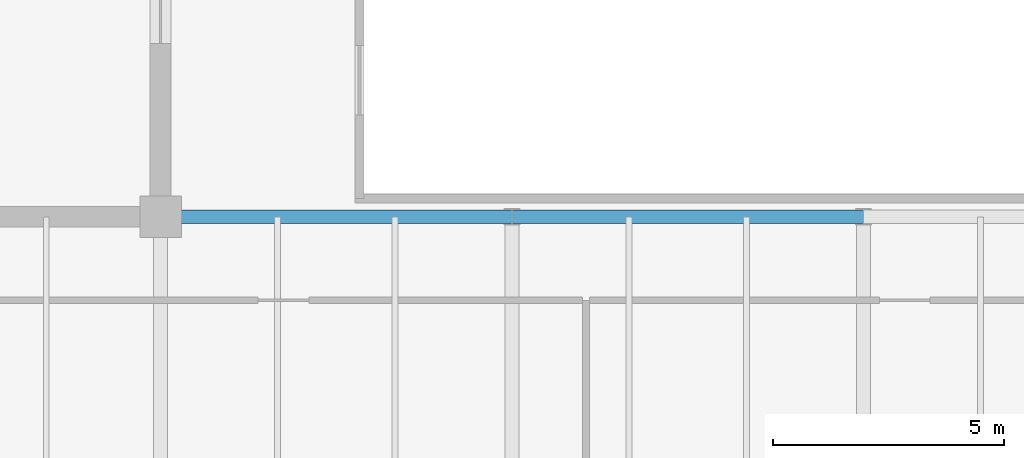
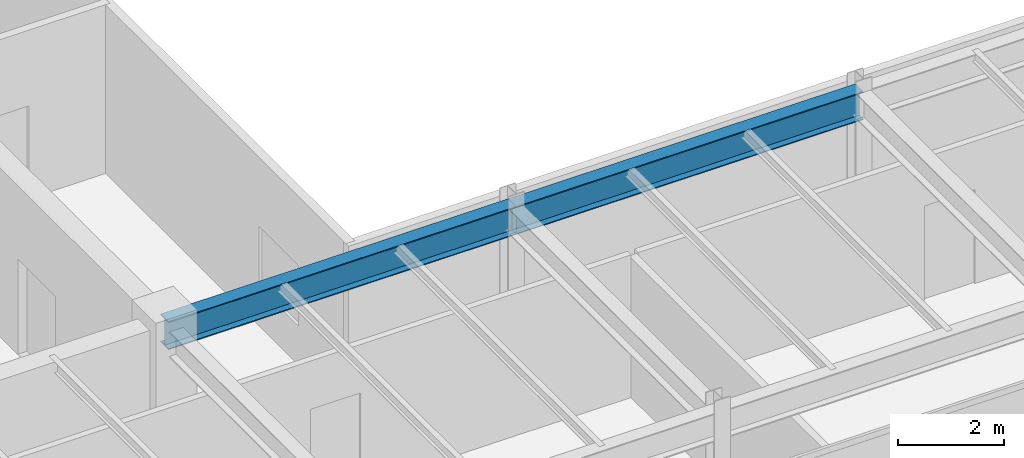
# One storey, part 9 of 31: 2 beams.
"""IFC4 building model written with IfcOpenShell, lengths in metres."""

from ifc_helpers import new_model, si_unit, direction, frame, origin, origin_2d, place, context, subcontext, project, spatial, i_section, extrude, source, transform, mapped, material, material_profile, profile_set, type_object, type_shapes, element, save


model = new_model("IFC4")

# Units and contexts
model_context = context("Model", 3, precision=1e-05, world=origin(), true_north=direction((0.0, 1.0)))
body_context = subcontext(model_context, "Body", "Model", "MODEL_VIEW")
ifc_project = project(units=[si_unit("LENGTHUNIT", "METRE"), si_unit("AREAUNIT", "SQUARE_METRE"), si_unit("VOLUMEUNIT", "CUBIC_METRE"), si_unit("PLANEANGLEUNIT", "RADIAN"), si_unit("MASSUNIT", "GRAM", prefix="KILO")], contexts=[model_context])

# Site, building, storey
site_placement = place(None, origin())
site = spatial("IfcSite", under=ifc_project, at=site_placement, CompositionType="ELEMENT")
building_placement = place(site_placement, origin())
building = spatial("IfcBuilding", under=site, at=building_placement, Name="Haelvirn Gate Laboratories", CompositionType="ELEMENT")
storey_placement = place(building_placement, frame((0.0, 0.0, 318.60009765625)))
storey = spatial("IfcBuildingStorey", under=building, at=storey_placement, Name="L76", CompositionType="ELEMENT", Elevation=318.60009765625)

# Beams
ifc_material = material(Name="Steel SM355", Category="steel")
ifc_material_profile = material_profile(ifc_material, i_section(OverallWidth=0.300048828125, OverallDepth=0.64990234375, WebThickness=0.012939453125, FlangeThickness=0.02197265625, at=origin_2d()), Name="H-650x300x13x22")
ifc_profile_set = profile_set([ifc_material_profile], Name="Steel SM355")
beam_type = type_object("IfcBeamType", Name="BM-G-650", PredefinedType="BEAM", material=ifc_profile_set)
shared_shape_1 = source(origin(), body_context, "Body", "SweptSolid", [
    extrude(i_section(OverallWidth=0.300048828125, OverallDepth=0.64990234375, WebThickness=0.012939453125, FlangeThickness=0.02197265625, at=origin_2d()), origin(), (0.0, 0.0, 1.0), 7.60009765625),
])
beam_1_placement = place(storey_placement, frame((22.199951171875, 14.800048828125, 3.574951171875), z_axis=(1.0, 0.0, 0.0), x_axis=(0.0, 1.0, 0.0)))
element("IfcBeam", 1, at=beam_1_placement, inside=storey, type_object=beam_type, Name="L76 Primary Girder Y14.8 (22.2-29.8)", PredefinedType="BEAM", context=body_context, shape_type="MappedRepresentation", body=[
    mapped(shared_shape_1, transform((0.0, 0.0, 0.0), scale=1.0)),
])
shared_shape_2 = source(origin(), body_context, "Body", "SweptSolid", [
    extrude(i_section(OverallWidth=0.300048828125, OverallDepth=0.64990234375, WebThickness=0.012939453125, FlangeThickness=0.02197265625, at=origin_2d()), origin(), (0.0, 0.0, 1.0), 7.599853515625),
])
type_shapes(beam_type, [shared_shape_1, shared_shape_2])
beam_2_placement = place(storey_placement, frame((29.800048828125, 14.800048828125, 3.574951171875), z_axis=(1.0, 0.0, 0.0), x_axis=(0.0, 1.0, 0.0)))
element("IfcBeam", 2, at=beam_2_placement, inside=storey, type_object=beam_type, Name="L76 Primary Girder Y14.8 (29.8-37.4)", PredefinedType="BEAM", context=body_context, shape_type="MappedRepresentation", body=[
    mapped(shared_shape_2, transform((0.0, 0.0, 0.0), scale=1.0)),
])

save(model, "model.ifc")
